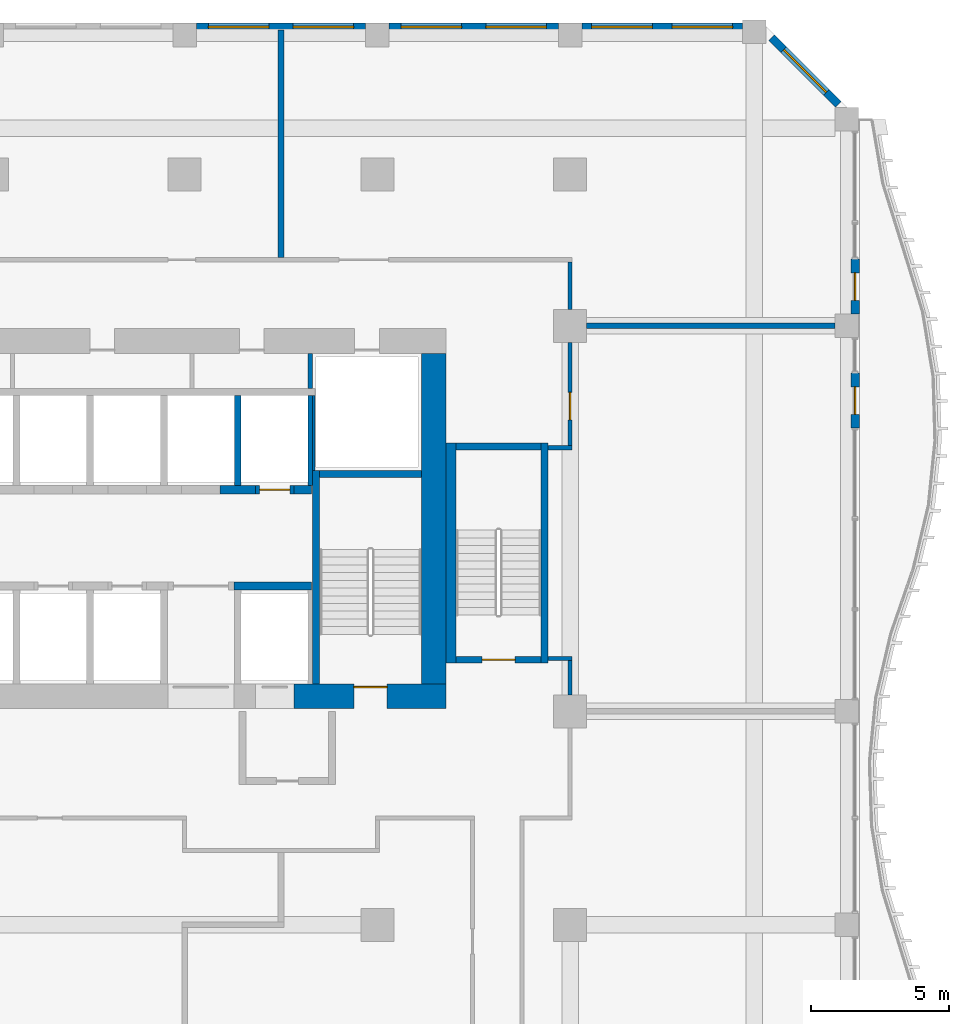
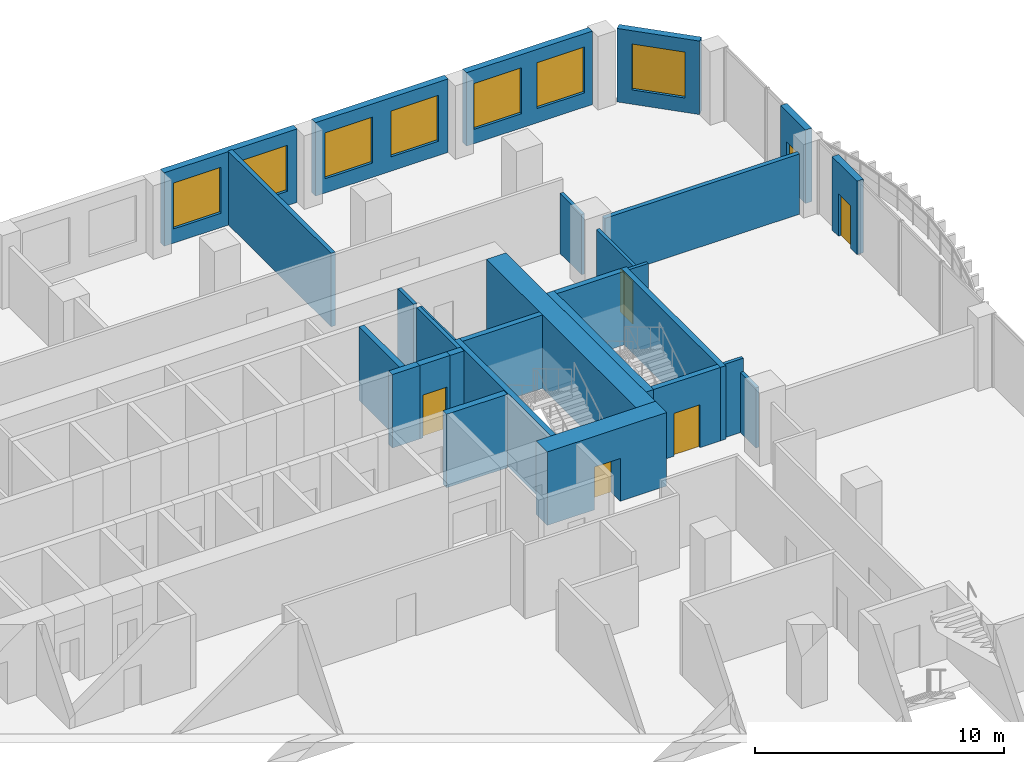
# One storey, part 15 of 19: 29 walls, 7 windows, 6 doors, 13 openings.
"""IFC4 building model written with IfcOpenShell, lengths in metres."""

from ifc_helpers import new_model, si_unit, direction, frame, frame_2d, origin, place, context, subcontext, project, spatial, rectangle, extrude, source, transform, mapped, material, layer, layer_set, type_object, element, fill, save


model = new_model("IFC4")

# Units and contexts
model_context = context("Model", 3, precision=1e-05, world=origin(), true_north=direction((0.0, 1.0)))
body_context = subcontext(model_context, "Body", "Model", "MODEL_VIEW")
ifc_project = project(units=[si_unit("LENGTHUNIT", "METRE"), si_unit("AREAUNIT", "SQUARE_METRE"), si_unit("VOLUMEUNIT", "CUBIC_METRE"), si_unit("PLANEANGLEUNIT", "RADIAN"), si_unit("MASSUNIT", "GRAM", prefix="KILO")], contexts=[model_context])

# Site, building, storey
site_placement = place(None, origin())
site = spatial("IfcSite", under=ifc_project, at=site_placement, CompositionType="ELEMENT")
building_placement = place(site_placement, origin())
building = spatial("IfcBuilding", under=site, at=building_placement, Name="Kilnfold Tower and Market Hall", CompositionType="ELEMENT")
storey_placement = place(building_placement, frame((0.0, 0.0, 124.60009765625)))
storey = spatial("IfcBuildingStorey", under=building, at=storey_placement, Name="L29", CompositionType="ELEMENT", Elevation=124.60009765625)

# Wall, opening, door
ifc_material_1 = material(Name="Gypsum board on steel studs", Category="steel")
ifc_layer_1 = layer(ifc_material_1, 0.14990234375)
ifc_layer_set_1 = layer_set([ifc_layer_1], Name="Gypsum board on steel studs")
wall_type_1 = type_object("IfcWallType", Name="WALL CORRIDOR 150", PredefinedType="PARTITIONING", material=ifc_layer_set_1)
wall_1_placement = place(storey_placement, frame((22.5, 17.64990234375, 0.0), z_axis=(0.0, 0.0, 1.0), x_axis=(0.0, 1.0, 0.0)))
wall_1 = element("IfcWall", 1, at=wall_1_placement, inside=storey, type_object=wall_type_1, Name="Partition LY18.28", PredefinedType="PARTITIONING", context=body_context, shape_type="SweptSolid", body=[
    extrude(rectangle(XDim=3.75, YDim=0.14990234375, at=frame_2d((1.875, 0.0))), origin(), (0.0, 0.0, 1.0), 2.949951171875),
])
opening_1_placement = place(wall_1_placement, frame((0.93310546875, 0.0, 0.0)))
opening_1 = element("IfcOpeningElement", 2, at=opening_1_placement, cuts=wall_1, Name="Opening D1", PredefinedType="OPENING", context=body_context, shape_type="SweptSolid", body=[
    extrude(rectangle(XDim=1.0, YDim=2.10009765625, at=frame_2d((0.5, 1.050048828125))), frame((0.0, 0.0849609375, 0.0), z_axis=(0.0, -1.0, 0.0), x_axis=(1.0, 0.0, 0.0)), (0.0, 0.0, 1.0), 0.169921875),
])
ifc_material_2 = material(Name="Timber veneer door leaf in steel frame", Category="steel")
door_type_1 = type_object("IfcDoorType", Name="DOOR ENTRY 1000 X2100", OperationType="NOTDEFINED", PredefinedType="DOOR", material=ifc_material_2)
door_1_placement = place(opening_1_placement, origin())
door_1 = element("IfcDoor", 3, at=door_1_placement, inside=storey, type_object=door_type_1, Name="Door D1", OperationType="SINGLE_SWING_LEFT", OverallHeight=2.10009765625, OverallWidth=1.0, PredefinedType="DOOR", context=body_context, shape_type="SweptSolid", body=[
    extrude(rectangle(XDim=1.0, YDim=2.10009765625, at=frame_2d((0.5, 1.050048828125))), frame((0.0, 0.02490234375, 0.0), z_axis=(0.0, -1.0, 0.0), x_axis=(1.0, 0.0, 0.0)), (0.0, 0.0, 1.0), 0.050048828125),
])
fill(opening_1, door_1)

# Walls
for number, where, z_axis, x_axis, name in (
    (4, (21.699951171875, 17.574951171875, 0.0), (0.0, 0.0, 1.0), (1.0, 0.0, 0.0), "Partition LY18.29"),
    (5, (22.574951171875, 9.925048828125, 0.0), (0.0, 0.0, 1.0), (-1.0, 0.0, 0.0), "Partition LY18.30"),
):
    element("IfcWall", number, at=place(storey_placement, frame(where, z_axis=z_axis, x_axis=x_axis)), inside=storey, type_object=wall_type_1, Name=name, PredefinedType="PARTITIONING", context=body_context, shape_type="SweptSolid", body=[
        extrude(rectangle(XDim=0.875, YDim=0.14990234375, at=frame_2d((0.4375, 0.0))), origin(), (0.0, 0.0, 1.0), 3.599853515625),
    ])
wall_2_placement = place(storey_placement, frame((22.5, 8.60009765625, 0.0), z_axis=(0.0, 0.0, 1.0), x_axis=(0.0, 1.0, 0.0)))
element("IfcWall", 6, at=wall_2_placement, inside=storey, type_object=wall_type_1, Name="Partition LY18.31", PredefinedType="PARTITIONING", context=body_context, shape_type="SweptSolid", body=[
    extrude(rectangle(XDim=1.25, YDim=0.14990234375, at=frame_2d((0.625, 0.0))), origin(), (0.0, 0.0, 1.0), 2.949951171875),
])
wall_3_placement = place(storey_placement, frame((22.5, 22.60009765625, 0.0), z_axis=(0.0, 0.0, 1.0), x_axis=(0.0, 1.0, 0.0)))
element("IfcWall", 7, at=wall_3_placement, inside=storey, type_object=wall_type_1, Name="Partition LY18.32", PredefinedType="PARTITIONING", context=body_context, shape_type="SweptSolid", body=[
    extrude(rectangle(XDim=1.724853515625, YDim=0.14990234375, at=frame_2d((0.8623046875, 0.0))), origin(), (0.0, 0.0, 1.0), 2.949951171875),
])
ifc_material_3 = material(Name="Gypsum board on steel studs", Category="steel")
ifc_layer_2 = layer(ifc_material_3, 0.199951171875)
ifc_layer_set_2 = layer_set([ifc_layer_2], Name="Gypsum board on steel studs")
wall_type_2 = type_object("IfcWallType", Name="WALL PARTY 200", PredefinedType="PARTITIONING", material=ifc_layer_set_2)
wall_4_placement = place(storey_placement, frame((23.10009765625, 22.0, 0.0), z_axis=(0.0, 0.0, 1.0), x_axis=(1.0, 0.0, 0.0)))
element("IfcWall", 8, at=wall_4_placement, inside=storey, type_object=wall_type_2, Name="Partition LY18.54", PredefinedType="PARTITIONING", context=body_context, shape_type="SweptSolid", body=[
    extrude(rectangle(XDim=9.02490234375, YDim=0.199951171875, at=frame_2d((4.512451171875, 0.0))), origin(), (0.0, 0.0, 1.0), 2.949951171875),
])
wall_5_placement = place(storey_placement, frame((12.0, 24.47607421875, 0.0), z_axis=(0.0, 0.0, 1.0), x_axis=(0.0, 1.0, 0.0)))
element("IfcWall", 9, at=wall_5_placement, inside=storey, type_object=wall_type_2, Name="Partition LY18.55", PredefinedType="PARTITIONING", context=body_context, shape_type="SweptSolid", body=[
    extrude(rectangle(XDim=8.27392578125, YDim=0.199951171875, at=frame_2d((4.136962890625, 0.0))), origin(), (0.0, 0.0, 1.0), 3.599853515625),
])

# Wall, opening, door
ifc_material_4 = material(Name="Concrete C70", Category="concrete")
ifc_layer_3 = layer(ifc_material_4, 0.89990234375)
ifc_layer_set_3 = layer_set([ifc_layer_3], Name="Concrete C70")
wall_type_3 = type_object("IfcWallType", Name="CORE WALL 900 C70", PredefinedType="SHEAR", material=ifc_layer_set_3)
shared_shape_1 = source(origin(), body_context, "Body", "SweptSolid", [
    extrude(rectangle(XDim=5.530029296875, YDim=0.89990234375, at=frame_2d((2.76513671875, 0.0))), origin(), (0.0, 0.0, 1.0), 3.599853515625),
])
wall_6_placement = place(storey_placement, frame((12.469970703125, 8.550048828125, 0.0), z_axis=(0.0, 0.0, 1.0), x_axis=(1.0, 0.0, 0.0)))
wall_6 = element("IfcWall", 10, at=wall_6_placement, inside=storey, type_object=wall_type_3, Name="Core outer wall south", PredefinedType="SHEAR", context=body_context, shape_type="MappedRepresentation", body=[
    mapped(shared_shape_1, transform((0.0, 0.0, 0.0))),
])
opening_2_placement = place(wall_6_placement, frame((2.179931640625, 0.0, 0.0)))
opening_2 = element("IfcOpeningElement", 11, at=opening_2_placement, cuts=wall_6, Name="Opening SD1", PredefinedType="OPENING", context=body_context, shape_type="SweptSolid", body=[
    extrude(rectangle(XDim=1.199951171875, YDim=2.10009765625, at=frame_2d((0.60009765625, 1.050048828125))), frame((0.0, 0.4599609375, 0.0), z_axis=(0.0, -1.0, 0.0), x_axis=(1.0, 0.0, 0.0)), (0.0, 0.0, 1.0), 0.919921875),
])
ifc_material_5 = material(Name="Steel door set with fire-resisting leaf", Category="steel")
door_type_2 = type_object("IfcDoorType", Name="STAIR FLOOR DOOR 1200X2100", OperationType="NOTDEFINED", PredefinedType="DOOR", material=ifc_material_5)
door_2_placement = place(opening_2_placement, origin())
door_2 = element("IfcDoor", 12, at=door_2_placement, inside=storey, type_object=door_type_2, Name="Exit stair ST2 door", OperationType="DOUBLE_DOOR_SINGLE_SWING", OverallHeight=2.10009765625, OverallWidth=1.199951171875, PredefinedType="DOOR", context=body_context, shape_type="SweptSolid", body=[
    extrude(rectangle(XDim=1.199951171875, YDim=2.10009765625, at=frame_2d((0.60009765625, 1.050048828125))), frame((0.0, 0.35498046875, 0.0), z_axis=(0.0, -1.0, 0.0), x_axis=(1.0, 0.0, 0.0)), (0.0, 0.0, 1.0), 0.050048828125),
])
fill(opening_2, door_2)

# Walls
shared_shape_2 = source(origin(), body_context, "Body", "SweptSolid", [
    extrude(rectangle(XDim=12.0, YDim=0.89990234375, at=frame_2d((6.0, 0.0))), origin(), (0.0, 0.0, 1.0), 3.599853515625),
])
wall_7_placement = place(storey_placement, frame((17.550048828125, 9.0, 0.0), z_axis=(0.0, 0.0, 1.0), x_axis=(0.0, 1.0, 0.0)))
element("IfcWall", 13, at=wall_7_placement, inside=storey, type_object=wall_type_3, Name="Core outer wall east", PredefinedType="SHEAR", context=body_context, shape_type="MappedRepresentation", body=[
    mapped(shared_shape_2, transform((0.0, 0.0, 0.0))),
])
ifc_material_6 = material(Name="Concrete C70", Category="concrete")
ifc_layer_4 = layer(ifc_material_6, 0.25)
ifc_layer_set_4 = layer_set([ifc_layer_4], Name="Concrete C70")
wall_type_4 = type_object("IfcWallType", Name="CORE WALL 250 C70", PredefinedType="SHEAR", material=ifc_layer_set_4)
shared_shape_3 = source(origin(), body_context, "Body", "SweptSolid", [
    extrude(rectangle(XDim=7.75, YDim=0.25, at=frame_2d((3.875, 0.0))), origin(), (0.0, 0.0, 1.0), 3.599853515625),
])
wall_8_placement = place(storey_placement, frame((13.27490234375, 9.0, 0.0), z_axis=(0.0, 0.0, 1.0), x_axis=(0.0, 1.0, 0.0)))
element("IfcWall", 14, at=wall_8_placement, inside=storey, type_object=wall_type_4, Name="Stair enclosure ST2", PredefinedType="SHEAR", context=body_context, shape_type="MappedRepresentation", body=[
    mapped(shared_shape_3, transform((0.0, 0.0, 0.0))),
])
shared_shape_4 = source(origin(), body_context, "Body", "SweptSolid", [
    extrude(rectangle(XDim=3.7001953125, YDim=0.25, at=frame_2d((1.85009765625, 0.0))), origin(), (0.0, 0.0, 1.0), 3.599853515625),
])
wall_9_placement = place(storey_placement, frame((13.39990234375, 16.625, 0.0), z_axis=(0.0, 0.0, 1.0), x_axis=(1.0, 0.0, 0.0)))
element("IfcWall", 15, at=wall_9_placement, inside=storey, type_object=wall_type_4, Name="Stair enclosure ST2", PredefinedType="SHEAR", context=body_context, shape_type="MappedRepresentation", body=[
    mapped(shared_shape_4, transform((0.0, 0.0, 0.0))),
])
shared_shape_5 = source(origin(), body_context, "Body", "SweptSolid", [
    extrude(rectangle(XDim=8.0, YDim=0.25, at=frame_2d((4.0, 0.0))), origin(), (0.0, 0.0, 1.0), 3.599853515625),
])
wall_10_placement = place(storey_placement, frame((21.574951171875, 9.75, 0.0), z_axis=(0.0, 0.0, 1.0), x_axis=(0.0, 1.0, 0.0)))
element("IfcWall", 16, at=wall_10_placement, inside=storey, type_object=wall_type_4, Name="Stair enclosure ST5", PredefinedType="SHEAR", context=body_context, shape_type="MappedRepresentation", body=[
    mapped(shared_shape_5, transform((0.0, 0.0, 0.0))),
])
ifc_material_7 = material(Name="Concrete C70", Category="concrete")
ifc_layer_5 = layer(ifc_material_7, 0.35009765625)
ifc_layer_set_5 = layer_set([ifc_layer_5], Name="Concrete C70")
wall_type_5 = type_object("IfcWallType", Name="CORE WALL 350 C70", PredefinedType="SHEAR", material=ifc_layer_set_5)
shared_shape_6 = source(origin(), body_context, "Body", "SweptSolid", [
    extrude(rectangle(XDim=8.0, YDim=0.35009765625, at=frame_2d((4.0, 0.0))), origin(), (0.0, 0.0, 1.0), 3.599853515625),
])
wall_11_placement = place(storey_placement, frame((18.175048828125, 9.75, 0.0), z_axis=(0.0, 0.0, 1.0), x_axis=(0.0, 1.0, 0.0)))
element("IfcWall", 17, at=wall_11_placement, inside=storey, type_object=wall_type_5, Name="Stair enclosure ST5", PredefinedType="SHEAR", context=body_context, shape_type="MappedRepresentation", body=[
    mapped(shared_shape_6, transform((0.0, 0.0, 0.0))),
])

# Wall, opening, door
shared_shape_7 = source(origin(), body_context, "Body", "SweptSolid", [
    extrude(rectangle(XDim=3.099853515625, YDim=0.25, at=frame_2d((1.5498046875, 0.0))), origin(), (0.0, 0.0, 1.0), 3.599853515625),
])
wall_12_placement = place(storey_placement, frame((18.35009765625, 9.875, 0.0), z_axis=(0.0, 0.0, 1.0), x_axis=(1.0, 0.0, 0.0)))
wall_12 = element("IfcWall", 18, at=wall_12_placement, inside=storey, type_object=wall_type_4, Name="Stair enclosure ST5", PredefinedType="SHEAR", context=body_context, shape_type="MappedRepresentation", body=[
    mapped(shared_shape_7, transform((0.0, 0.0, 0.0))),
])
opening_3_placement = place(wall_12_placement, frame((0.949951171875, 0.0, 0.0)))
opening_3 = element("IfcOpeningElement", 19, at=opening_3_placement, cuts=wall_12, Name="Opening SD1", PredefinedType="OPENING", context=body_context, shape_type="SweptSolid", body=[
    extrude(rectangle(XDim=1.199951171875, YDim=2.10009765625, at=frame_2d((0.60009765625, 1.050048828125))), frame((0.0, 0.135009765625, 0.0), z_axis=(0.0, -1.0, 0.0), x_axis=(1.0, 0.0, 0.0)), (0.0, 0.0, 1.0), 0.27001953125),
])
door_3_placement = place(opening_3_placement, origin())
door_3 = element("IfcDoor", 20, at=door_3_placement, inside=storey, type_object=door_type_2, Name="Exit stair ST5 door", OperationType="DOUBLE_DOOR_SINGLE_SWING", OverallHeight=2.10009765625, OverallWidth=1.199951171875, PredefinedType="DOOR", context=body_context, shape_type="SweptSolid", body=[
    extrude(rectangle(XDim=1.199951171875, YDim=2.10009765625, at=frame_2d((0.60009765625, 1.050048828125))), frame((0.0, 0.02490234375, 0.0), z_axis=(0.0, -1.0, 0.0), x_axis=(1.0, 0.0, 0.0)), (0.0, 0.0, 1.0), 0.050048828125),
])
fill(opening_3, door_3)

# Walls
wall_13_placement = place(storey_placement, frame((18.35009765625, 17.625, 0.0), z_axis=(0.0, 0.0, 1.0), x_axis=(1.0, 0.0, 0.0)))
element("IfcWall", 21, at=wall_13_placement, inside=storey, type_object=wall_type_4, Name="Stair enclosure ST5", PredefinedType="SHEAR", context=body_context, shape_type="MappedRepresentation", body=[
    mapped(shared_shape_7, transform((0.0, 0.0, 0.0))),
])
ifc_material_8 = material(Name="Concrete C70", Category="concrete")
ifc_layer_6 = layer(ifc_material_8, 0.300048828125)
ifc_layer_set_6 = layer_set([ifc_layer_6], Name="Concrete C70")
wall_type_6 = type_object("IfcWallType", Name="CORE WALL 300 C70", PredefinedType="SHEAR", material=ifc_layer_set_6)
shared_shape_8 = source(origin(), body_context, "Body", "SweptSolid", [
    extrude(rectangle(XDim=1.280029296875, YDim=0.300048828125, at=frame_2d((0.64013671875, 0.0))), origin(), (0.0, 0.0, 1.0), 3.599853515625),
])
wall_14_placement = place(storey_placement, frame((9.7900390625, 16.050048828125, 0.0), z_axis=(0.0, 0.0, 1.0), x_axis=(1.0, 0.0, 0.0)))
element("IfcWall", 22, at=wall_14_placement, inside=storey, type_object=wall_type_6, Name="Core spine wall", PredefinedType="SHEAR", context=body_context, shape_type="MappedRepresentation", body=[
    mapped(shared_shape_8, transform((0.0, 0.0, 0.0))),
])
shared_shape_9 = source(origin(), body_context, "Body", "SweptSolid", [
    extrude(rectangle(XDim=2.820068359375, YDim=0.300048828125, at=frame_2d((1.41015625, 0.0))), origin(), (0.0, 0.0, 1.0), 3.599853515625),
])
wall_15_placement = place(storey_placement, frame((10.2900390625, 12.550048828125, 0.0), z_axis=(0.0, 0.0, 1.0), x_axis=(1.0, 0.0, 0.0)))
element("IfcWall", 23, at=wall_15_placement, inside=storey, type_object=wall_type_6, Name="Core spine wall", PredefinedType="SHEAR", context=body_context, shape_type="MappedRepresentation", body=[
    mapped(shared_shape_9, transform((0.0, 0.0, 0.0))),
])
shared_shape_10 = source(origin(), body_context, "Body", "SweptSolid", [
    extrude(rectangle(XDim=0.64013671875, YDim=0.300048828125, at=frame_2d((0.320068359375, 0.0))), origin(), (0.0, 0.0, 1.0), 3.599853515625),
])
wall_16_placement = place(storey_placement, frame((12.469970703125, 16.050048828125, 0.0), z_axis=(0.0, 0.0, 1.0), x_axis=(1.0, 0.0, 0.0)))
element("IfcWall", 24, at=wall_16_placement, inside=storey, type_object=wall_type_6, Name="Core spine wall", PredefinedType="SHEAR", context=body_context, shape_type="MappedRepresentation", body=[
    mapped(shared_shape_10, transform((0.0, 0.0, 0.0))),
])

# Wall, opening, door
ifc_material_9 = material(Name="Precast concrete C50/60", Category="concrete")
ifc_layer_7 = layer(ifc_material_9, 0.300048828125)
ifc_layer_set_7 = layer_set([ifc_layer_7], Name="Precast concrete C50/60")
wall_type_7 = type_object("IfcWallType", Name="PRECAST WALL 300", PredefinedType="SOLIDWALL", material=ifc_layer_set_7)
shared_shape_11 = source(origin(), body_context, "Body", "SweptSolid", [
    extrude(rectangle(XDim=2.0, YDim=0.300048828125, at=frame_2d((1.0, 0.0))), origin(), (0.0, 0.0, 1.0), 3.599853515625),
])
wall_17_placement = place(storey_placement, frame((32.85009765625, 18.28759765625, 0.0), z_axis=(0.0, 0.0, 1.0), x_axis=(0.0, 1.0, 0.0)))
wall_17 = element("IfcWall", 25, at=wall_17_placement, inside=storey, type_object=wall_type_7, Name="External wall L29 E", PredefinedType="SOLIDWALL", context=body_context, shape_type="MappedRepresentation", body=[
    mapped(shared_shape_11, transform((0.0, 0.0, 0.0))),
])
opening_4_placement = place(wall_17_placement, frame((0.5, 0.0, 0.0)))
opening_4 = element("IfcOpeningElement", 26, at=opening_4_placement, cuts=wall_17, Name="Opening BD1", PredefinedType="OPENING", context=body_context, shape_type="SweptSolid", body=[
    extrude(rectangle(XDim=1.0, YDim=2.10009765625, at=frame_2d((0.5, 1.050048828125))), frame((0.0, 0.16015625, 0.0), z_axis=(0.0, -1.0, 0.0), x_axis=(1.0, 0.0, 0.0)), (0.0, 0.0, 1.0), 0.320068359375),
])
ifc_material_10 = material(Name="Aluminium frame and double glazing", Category="aluminium")
door_type_3 = type_object("IfcDoorType", Name="BALCONY DOOR 1000X2100", OperationType="NOTDEFINED", PredefinedType="DOOR", material=ifc_material_10)
door_4_placement = place(opening_4_placement, origin())
door_4 = element("IfcDoor", 27, at=door_4_placement, inside=storey, type_object=door_type_3, Name="Balcony door BD1 L29 E-4", OperationType="SINGLE_SWING_RIGHT", OverallHeight=2.10009765625, OverallWidth=1.0, PredefinedType="DOOR", context=body_context, shape_type="SweptSolid", body=[
    extrude(rectangle(XDim=1.0, YDim=2.10009765625, at=frame_2d((0.5, 1.050048828125))), frame((0.0, 0.02490234375, 0.0), z_axis=(0.0, -1.0, 0.0), x_axis=(1.0, 0.0, 0.0)), (0.0, 0.0, 1.0), 0.050048828125),
])
fill(opening_4, door_4)

wall_18_placement = place(storey_placement, frame((32.85009765625, 22.425048828125, 0.0), z_axis=(0.0, 0.0, 1.0), x_axis=(0.0, 1.0, 0.0)))
wall_18 = element("IfcWall", 28, at=wall_18_placement, inside=storey, type_object=wall_type_7, Name="External wall L29 E", PredefinedType="SOLIDWALL", context=body_context, shape_type="MappedRepresentation", body=[
    mapped(shared_shape_11, transform((0.0, 0.0, 0.0))),
])
opening_5_placement = place(wall_18_placement, frame((0.5, 0.0, 0.0)))
opening_5 = element("IfcOpeningElement", 29, at=opening_5_placement, cuts=wall_18, Name="Opening BD1", PredefinedType="OPENING", context=body_context, shape_type="SweptSolid", body=[
    extrude(rectangle(XDim=1.0, YDim=2.10009765625, at=frame_2d((0.5, 1.050048828125))), frame((0.0, 0.16015625, 0.0), z_axis=(0.0, -1.0, 0.0), x_axis=(1.0, 0.0, 0.0)), (0.0, 0.0, 1.0), 0.320068359375),
])
door_5_placement = place(opening_5_placement, origin())
door_5 = element("IfcDoor", 30, at=door_5_placement, inside=storey, type_object=door_type_3, Name="Balcony door BD1 L29 E-1", OperationType="SINGLE_SWING_LEFT", OverallHeight=2.10009765625, OverallWidth=1.0, PredefinedType="DOOR", context=body_context, shape_type="SweptSolid", body=[
    extrude(rectangle(XDim=1.0, YDim=2.10009765625, at=frame_2d((0.5, 1.050048828125))), frame((0.0, 0.02490234375, 0.0), z_axis=(0.0, -1.0, 0.0), x_axis=(1.0, 0.0, 0.0)), (0.0, 0.0, 1.0), 0.050048828125),
])
fill(opening_5, door_5)

# Wall, opening, window
shared_shape_12 = source(origin(), body_context, "Body", "SweptSolid", [
    extrude(rectangle(XDim=3.429443359375, YDim=0.300048828125, at=frame_2d((1.71484375, 0.0))), origin(), (0.0, 0.0, 1.0), 3.599853515625),
])
wall_19_placement = place(storey_placement, frame((32.243896484375, 30.0439453125, 0.0), z_axis=(0.0, 0.0, 1.0), x_axis=(-0.707106781187, 0.707106781187, 0.0)))
wall_19 = element("IfcWall", 31, at=wall_19_placement, inside=storey, type_object=wall_type_7, Name="External wall L29 NE", PredefinedType="SOLIDWALL", context=body_context, shape_type="MappedRepresentation", body=[
    mapped(shared_shape_12, transform((0.0, 0.0, 0.0))),
])
opening_6_placement = place(wall_19_placement, frame((0.61474609375, 0.0, 0.699951171875)))
opening_6 = element("IfcOpeningElement", 32, at=opening_6_placement, cuts=wall_19, Name="Opening W1", PredefinedType="OPENING", context=body_context, shape_type="SweptSolid", body=[
    extrude(rectangle(XDim=2.199951171875, YDim=2.25, at=frame_2d((1.10009765625, 1.125))), frame((0.0, 0.16015625, 0.0), z_axis=(0.0, -1.0, 0.0), x_axis=(1.0, 0.0, 0.0)), (0.0, 0.0, 1.0), 0.320068359375),
])
ifc_material_11 = material(Name="Aluminium frame and double glazing", Category="aluminium")
window_type = type_object("IfcWindowType", Name="WINDOW W1 2200X2250", PartitioningType="SINGLE_PANEL", PredefinedType="WINDOW", material=ifc_material_11)
window_1_placement = place(opening_6_placement, origin())
window_1 = element("IfcWindow", 33, at=window_1_placement, inside=storey, type_object=window_type, Name="Window W1 L29 NE-1", OverallHeight=2.25, OverallWidth=2.199951171875, PartitioningType="SINGLE_PANEL", PredefinedType="WINDOW", context=body_context, shape_type="SweptSolid", body=[
    extrude(rectangle(XDim=2.199951171875, YDim=2.25, at=frame_2d((1.10009765625, 1.125))), frame((0.0, 0.030029296875, 0.0), z_axis=(0.0, -1.0, 0.0), x_axis=(1.0, 0.0, 0.0)), (0.0, 0.0, 1.0), 0.06005859375),
])
fill(opening_6, window_1)

# Wall, openings, windows
shared_shape_13 = source(origin(), body_context, "Body", "SweptSolid", [
    extrude(rectangle(XDim=5.831787109375, YDim=0.300048828125, at=frame_2d((2.916015625, 0.0))), origin(), (0.0, 0.0, 1.0), 3.599853515625),
])
wall_20_placement = place(storey_placement, frame((28.7568359375, 32.85009765625, 0.0), z_axis=(0.0, 0.0, 1.0), x_axis=(-1.0, 0.0, 0.0)))
wall_20 = element("IfcWall", 34, at=wall_20_placement, inside=storey, type_object=wall_type_7, Name="External wall L29 N", PredefinedType="SOLIDWALL", context=body_context, shape_type="MappedRepresentation", body=[
    mapped(shared_shape_13, transform((0.0, 0.0, 0.0))),
])
opening_7_placement = place(wall_20_placement, frame((0.35791015625, 0.0, 0.699951171875)))
opening_7 = element("IfcOpeningElement", 35, at=opening_7_placement, cuts=wall_20, Name="Opening W1", PredefinedType="OPENING", context=body_context, shape_type="SweptSolid", body=[
    extrude(rectangle(XDim=2.199951171875, YDim=2.25, at=frame_2d((1.10009765625, 1.125))), frame((0.0, 0.16015625, 0.0), z_axis=(0.0, -1.0, 0.0), x_axis=(1.0, 0.0, 0.0)), (0.0, 0.0, 1.0), 0.320068359375),
])
opening_8_placement = place(wall_20_placement, frame((3.273681640625, 0.0, 0.699951171875)))
opening_8 = element("IfcOpeningElement", 36, at=opening_8_placement, cuts=wall_20, Name="Opening W1", PredefinedType="OPENING", context=body_context, shape_type="SweptSolid", body=[
    extrude(rectangle(XDim=2.199951171875, YDim=2.25, at=frame_2d((1.10009765625, 1.125))), frame((0.0, 0.16015625, 0.0), z_axis=(0.0, -1.0, 0.0), x_axis=(1.0, 0.0, 0.0)), (0.0, 0.0, 1.0), 0.320068359375),
])
window_2_placement = place(opening_7_placement, origin())
window_2 = element("IfcWindow", 37, at=window_2_placement, inside=storey, type_object=window_type, Name="Window W1 L29 N-1", OverallHeight=2.25, OverallWidth=2.199951171875, PartitioningType="SINGLE_PANEL", PredefinedType="WINDOW", context=body_context, shape_type="SweptSolid", body=[
    extrude(rectangle(XDim=2.199951171875, YDim=2.25, at=frame_2d((1.10009765625, 1.125))), frame((0.0, 0.030029296875, 0.0), z_axis=(0.0, -1.0, 0.0), x_axis=(1.0, 0.0, 0.0)), (0.0, 0.0, 1.0), 0.06005859375),
])
fill(opening_7, window_2)
window_3_placement = place(opening_8_placement, origin())
window_3 = element("IfcWindow", 38, at=window_3_placement, inside=storey, type_object=window_type, Name="Window W1 L29 N-2", OverallHeight=2.25, OverallWidth=2.199951171875, PartitioningType="SINGLE_PANEL", PredefinedType="WINDOW", context=body_context, shape_type="SweptSolid", body=[
    extrude(rectangle(XDim=2.199951171875, YDim=2.25, at=frame_2d((1.10009765625, 1.125))), frame((0.0, 0.030029296875, 0.0), z_axis=(0.0, -1.0, 0.0), x_axis=(1.0, 0.0, 0.0)), (0.0, 0.0, 1.0), 0.06005859375),
])
fill(opening_8, window_3)

shared_shape_14 = source(origin(), body_context, "Body", "SweptSolid", [
    extrude(rectangle(XDim=6.14990234375, YDim=0.300048828125, at=frame_2d((3.074951171875, 0.0))), origin(), (0.0, 0.0, 1.0), 3.599853515625),
])
wall_21_placement = place(storey_placement, frame((22.074951171875, 32.85009765625, 0.0), z_axis=(0.0, 0.0, 1.0), x_axis=(-1.0, 0.0, 0.0)))
wall_21 = element("IfcWall", 39, at=wall_21_placement, inside=storey, type_object=wall_type_7, Name="External wall L29 N", PredefinedType="SOLIDWALL", context=body_context, shape_type="MappedRepresentation", body=[
    mapped(shared_shape_14, transform((0.0, 0.0, 0.0))),
])
opening_9_placement = place(wall_21_placement, frame((0.4375, 0.0, 0.699951171875)))
opening_9 = element("IfcOpeningElement", 40, at=opening_9_placement, cuts=wall_21, Name="Opening W1", PredefinedType="OPENING", context=body_context, shape_type="SweptSolid", body=[
    extrude(rectangle(XDim=2.199951171875, YDim=2.25, at=frame_2d((1.10009765625, 1.125))), frame((0.0, 0.16015625, 0.0), z_axis=(0.0, -1.0, 0.0), x_axis=(1.0, 0.0, 0.0)), (0.0, 0.0, 1.0), 0.320068359375),
])
opening_10_placement = place(wall_21_placement, frame((3.512451171875, 0.0, 0.699951171875)))
opening_10 = element("IfcOpeningElement", 41, at=opening_10_placement, cuts=wall_21, Name="Opening W1", PredefinedType="OPENING", context=body_context, shape_type="SweptSolid", body=[
    extrude(rectangle(XDim=2.199951171875, YDim=2.25, at=frame_2d((1.10009765625, 1.125))), frame((0.0, 0.16015625, 0.0), z_axis=(0.0, -1.0, 0.0), x_axis=(1.0, 0.0, 0.0)), (0.0, 0.0, 1.0), 0.320068359375),
])
window_4_placement = place(opening_9_placement, origin())
window_4 = element("IfcWindow", 42, at=window_4_placement, inside=storey, type_object=window_type, Name="Window W1 L29 N-1", OverallHeight=2.25, OverallWidth=2.199951171875, PartitioningType="SINGLE_PANEL", PredefinedType="WINDOW", context=body_context, shape_type="SweptSolid", body=[
    extrude(rectangle(XDim=2.199951171875, YDim=2.25, at=frame_2d((1.10009765625, 1.125))), frame((0.0, 0.030029296875, 0.0), z_axis=(0.0, -1.0, 0.0), x_axis=(1.0, 0.0, 0.0)), (0.0, 0.0, 1.0), 0.06005859375),
])
fill(opening_9, window_4)
window_5_placement = place(opening_10_placement, origin())
window_5 = element("IfcWindow", 43, at=window_5_placement, inside=storey, type_object=window_type, Name="Window W1 L29 N-2", OverallHeight=2.25, OverallWidth=2.199951171875, PartitioningType="SINGLE_PANEL", PredefinedType="WINDOW", context=body_context, shape_type="SweptSolid", body=[
    extrude(rectangle(XDim=2.199951171875, YDim=2.25, at=frame_2d((1.10009765625, 1.125))), frame((0.0, 0.030029296875, 0.0), z_axis=(0.0, -1.0, 0.0), x_axis=(1.0, 0.0, 0.0)), (0.0, 0.0, 1.0), 0.06005859375),
])
fill(opening_10, window_5)

wall_22_placement = place(storey_placement, frame((15.074951171875, 32.85009765625, 0.0), z_axis=(0.0, 0.0, 1.0), x_axis=(-1.0, 0.0, 0.0)))
wall_22 = element("IfcWall", 44, at=wall_22_placement, inside=storey, type_object=wall_type_7, Name="External wall L29 N", PredefinedType="SOLIDWALL", context=body_context, shape_type="MappedRepresentation", body=[
    mapped(shared_shape_14, transform((0.0, 0.0, 0.0))),
])
opening_11_placement = place(wall_22_placement, frame((0.4375, 0.0, 0.699951171875)))
opening_11 = element("IfcOpeningElement", 45, at=opening_11_placement, cuts=wall_22, Name="Opening W1", PredefinedType="OPENING", context=body_context, shape_type="SweptSolid", body=[
    extrude(rectangle(XDim=2.199951171875, YDim=2.25, at=frame_2d((1.10009765625, 1.125))), frame((0.0, 0.16015625, 0.0), z_axis=(0.0, -1.0, 0.0), x_axis=(1.0, 0.0, 0.0)), (0.0, 0.0, 1.0), 0.320068359375),
])
opening_12_placement = place(wall_22_placement, frame((3.512451171875, 0.0, 0.699951171875)))
opening_12 = element("IfcOpeningElement", 46, at=opening_12_placement, cuts=wall_22, Name="Opening W1", PredefinedType="OPENING", context=body_context, shape_type="SweptSolid", body=[
    extrude(rectangle(XDim=2.199951171875, YDim=2.25, at=frame_2d((1.10009765625, 1.125))), frame((0.0, 0.16015625, 0.0), z_axis=(0.0, -1.0, 0.0), x_axis=(1.0, 0.0, 0.0)), (0.0, 0.0, 1.0), 0.320068359375),
])
window_6_placement = place(opening_11_placement, origin())
window_6 = element("IfcWindow", 47, at=window_6_placement, inside=storey, type_object=window_type, Name="Window W1 L29 N-1", OverallHeight=2.25, OverallWidth=2.199951171875, PartitioningType="SINGLE_PANEL", PredefinedType="WINDOW", context=body_context, shape_type="SweptSolid", body=[
    extrude(rectangle(XDim=2.199951171875, YDim=2.25, at=frame_2d((1.10009765625, 1.125))), frame((0.0, 0.030029296875, 0.0), z_axis=(0.0, -1.0, 0.0), x_axis=(1.0, 0.0, 0.0)), (0.0, 0.0, 1.0), 0.06005859375),
])
fill(opening_11, window_6)
window_7_placement = place(opening_12_placement, origin())
window_7 = element("IfcWindow", 48, at=window_7_placement, inside=storey, type_object=window_type, Name="Window W1 L29 N-2", OverallHeight=2.25, OverallWidth=2.199951171875, PartitioningType="SINGLE_PANEL", PredefinedType="WINDOW", context=body_context, shape_type="SweptSolid", body=[
    extrude(rectangle(XDim=2.199951171875, YDim=2.25, at=frame_2d((1.10009765625, 1.125))), frame((0.0, 0.030029296875, 0.0), z_axis=(0.0, -1.0, 0.0), x_axis=(1.0, 0.0, 0.0)), (0.0, 0.0, 1.0), 0.06005859375),
])
fill(opening_12, window_7)

# Wall, opening, door
ifc_material_12 = material(Name="Gypsum shaft wall system")
ifc_layer_8 = layer(ifc_material_12, 0.300048828125)
ifc_layer_set_8 = layer_set([ifc_layer_8], Name="Gypsum shaft wall system")
wall_type_8 = type_object("IfcWallType", Name="SHAFT WALL 300", PredefinedType="PARTITIONING", material=ifc_layer_set_8)
shared_shape_15 = source(origin(), body_context, "Body", "SweptSolid", [
    extrude(rectangle(XDim=1.39990234375, YDim=0.300048828125, at=frame_2d((0.699951171875, 0.0))), origin(), (0.0, 0.0, 1.0), 3.599853515625),
])
wall_23_placement = place(storey_placement, frame((11.070068359375, 16.050048828125, 0.0), z_axis=(0.0, 0.0, 1.0), x_axis=(1.0, 0.0, 0.0)))
wall_23 = element("IfcWall", 49, at=wall_23_placement, inside=storey, type_object=wall_type_8, Name="Lift shaft front wall", PredefinedType="PARTITIONING", context=body_context, shape_type="MappedRepresentation", body=[
    mapped(shared_shape_15, transform((0.0, 0.0, 0.0))),
])
opening_13_placement = place(wall_23_placement, frame((0.14990234375, 0.0, 0.0)))
opening_13 = element("IfcOpeningElement", 50, at=opening_13_placement, cuts=wall_23, Name="Opening LD2", PredefinedType="OPENING", context=body_context, shape_type="SweptSolid", body=[
    extrude(rectangle(XDim=1.10009765625, YDim=2.10009765625, at=frame_2d((0.550048828125, 1.050048828125))), frame((0.0, 0.16015625, 0.0), z_axis=(0.0, -1.0, 0.0), x_axis=(1.0, 0.0, 0.0)), (0.0, 0.0, 1.0), 0.320068359375),
])
ifc_material_13 = material(Name="Steel door set with fire-resisting leaf", Category="steel")
door_type_4 = type_object("IfcDoorType", Name="LANDING DOOR 1100X2100", OperationType="NOTDEFINED", PredefinedType="DOOR", material=ifc_material_13)
door_6_placement = place(opening_13_placement, origin())
door_6 = element("IfcDoor", 51, at=door_6_placement, inside=storey, type_object=door_type_4, Name="Landing door LR6", OperationType="DOUBLE_DOOR_SLIDING", OverallHeight=2.10009765625, OverallWidth=1.10009765625, PredefinedType="DOOR", context=body_context, shape_type="SweptSolid", body=[
    extrude(rectangle(XDim=1.10009765625, YDim=2.10009765625, at=frame_2d((0.550048828125, 1.050048828125))), frame((0.0, 0.02490234375, 0.0), z_axis=(0.0, -1.0, 0.0), x_axis=(1.0, 0.0, 0.0)), (0.0, 0.0, 1.0), 0.050048828125),
])
fill(opening_13, door_6)

# Walls
ifc_material_14 = material(Name="Gypsum shaft wall system")
ifc_layer_9 = layer(ifc_material_14, 0.1650390625)
ifc_layer_set_9 = layer_set([ifc_layer_9], Name="Gypsum shaft wall system")
wall_type_9 = type_object("IfcWallType", Name="SHAFT WALL 165", PredefinedType="PARTITIONING", material=ifc_layer_set_9)
shared_shape_16 = source(origin(), body_context, "Body", "SweptSolid", [
    extrude(rectangle(XDim=3.275146484375, YDim=0.1650390625, at=frame_2d((1.6376953125, 0.0))), origin(), (0.0, 0.0, 1.0), 3.599853515625),
])
wall_24_placement = place(storey_placement, frame((13.0673828125, 16.199951171875, 0.0), z_axis=(0.0, 0.0, 1.0), x_axis=(0.0, 1.0, 0.0)))
element("IfcWall", 52, at=wall_24_placement, inside=storey, type_object=wall_type_9, Name="Lift shaft wall", PredefinedType="PARTITIONING", context=body_context, shape_type="MappedRepresentation", body=[
    mapped(shared_shape_16, transform((0.0, 0.0, 0.0))),
])
shared_shape_17 = source(origin(), body_context, "Body", "SweptSolid", [
    extrude(rectangle(XDim=1.27490234375, YDim=0.1650390625, at=frame_2d((0.637451171875, 0.0))), origin(), (0.0, 0.0, 1.0), 3.599853515625),
])
wall_25_placement = place(storey_placement, frame((13.0673828125, 19.72509765625, 0.0), z_axis=(0.0, 0.0, 1.0), x_axis=(0.0, 1.0, 0.0)))
element("IfcWall", 53, at=wall_25_placement, inside=storey, type_object=wall_type_9, Name="Lift shaft wall", PredefinedType="PARTITIONING", context=body_context, shape_type="MappedRepresentation", body=[
    mapped(shared_shape_17, transform((0.0, 0.0, 0.0))),
])
ifc_material_15 = material(Name="Gypsum shaft wall system")
ifc_layer_10 = layer(ifc_material_15, 0.25)
ifc_layer_set_10 = layer_set([ifc_layer_10], Name="Gypsum shaft wall system")
wall_type_10 = type_object("IfcWallType", Name="SHAFT WALL 250", PredefinedType="PARTITIONING", material=ifc_layer_set_10)
shared_shape_18 = source(origin(), body_context, "Body", "SweptSolid", [
    extrude(rectangle(XDim=3.275146484375, YDim=0.25, at=frame_2d((1.6376953125, 0.0))), origin(), (0.0, 0.0, 1.0), 3.599853515625),
])
wall_26_placement = place(storey_placement, frame((10.429931640625, 16.199951171875, 0.0), z_axis=(0.0, 0.0, 1.0), x_axis=(0.0, 1.0, 0.0)))
element("IfcWall", 54, at=wall_26_placement, inside=storey, type_object=wall_type_10, Name="Lift shaft wall", PredefinedType="PARTITIONING", context=body_context, shape_type="MappedRepresentation", body=[
    mapped(shared_shape_18, transform((0.0, 0.0, 0.0))),
])
ifc_material_16 = material(Name="Gypsum shaft wall system")
ifc_layer_11 = layer(ifc_material_16, 0.0849609375)
ifc_layer_set_11 = layer_set([ifc_layer_11], Name="Gypsum shaft wall system")
wall_type_11 = type_object("IfcWallType", Name="SHAFT WALL 85", PredefinedType="PARTITIONING", material=ifc_layer_set_11)
shared_shape_19 = source(origin(), body_context, "Body", "SweptSolid", [
    extrude(rectangle(XDim=2.72509765625, YDim=0.0849609375, at=frame_2d((1.362548828125, 0.0))), origin(), (0.0, 0.0, 1.0), 3.599853515625),
])
wall_27_placement = place(storey_placement, frame((13.1923828125, 16.75, 0.0), z_axis=(0.0, 0.0, 1.0), x_axis=(0.0, 1.0, 0.0)))
element("IfcWall", 55, at=wall_27_placement, inside=storey, type_object=wall_type_11, Name="Lift shaft wall", PredefinedType="PARTITIONING", context=body_context, shape_type="MappedRepresentation", body=[
    mapped(shared_shape_19, transform((0.0, 0.0, 0.0))),
])

save(model, "model.ifc")
